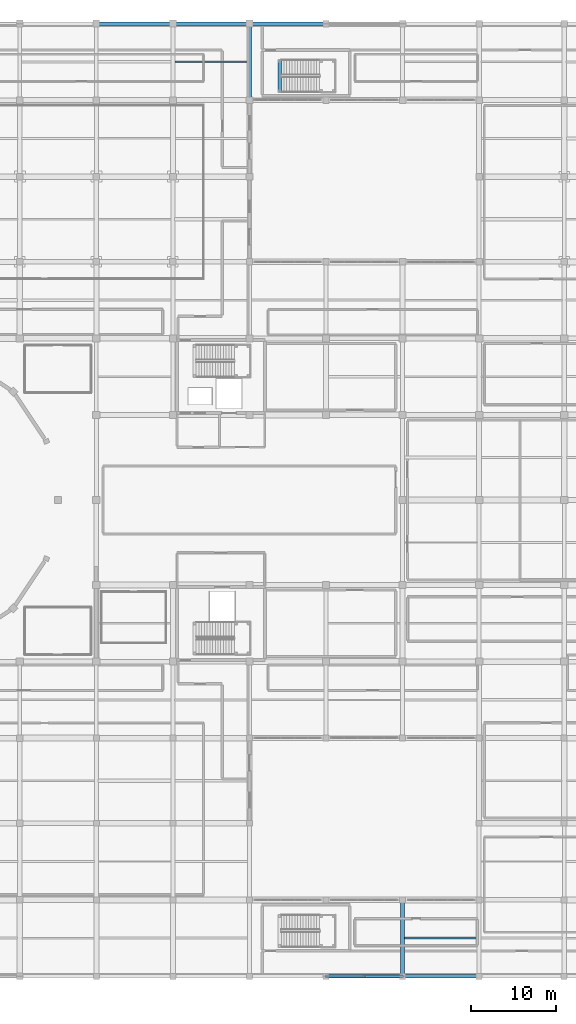
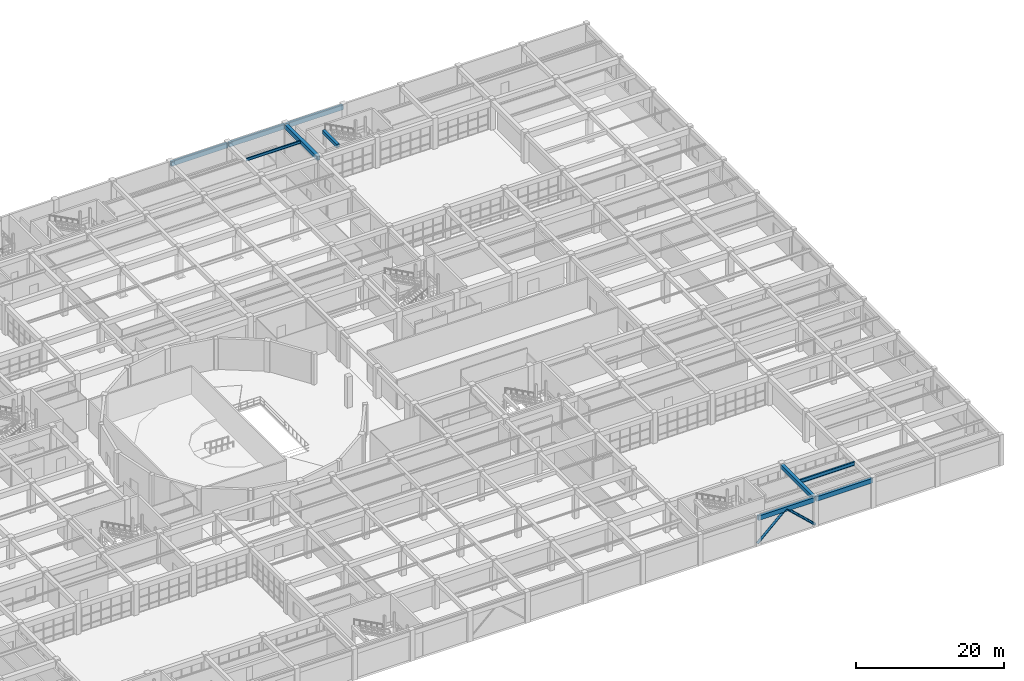
# One storey, part 71 of 128: 10 beams, 2 members.
"""IFC4 building model written with IfcOpenShell, lengths in metres."""

from ifc_helpers import new_model, si_unit, direction, frame, origin, origin_2d, place, context, subcontext, project, spatial, rectangle, hollow_circle, i_section, extrude, material, material_profile, profile_set, type_object, element, save


model = new_model("IFC4")

# Units and contexts
model_context = context("Model", 3, precision=1e-05, world=origin(), true_north=direction((0.0, 1.0)))
body_context = subcontext(model_context, "Body", "Model", "MODEL_VIEW")
ifc_project = project(units=[si_unit("LENGTHUNIT", "METRE"), si_unit("AREAUNIT", "SQUARE_METRE"), si_unit("VOLUMEUNIT", "CUBIC_METRE"), si_unit("PLANEANGLEUNIT", "RADIAN"), si_unit("MASSUNIT", "GRAM", prefix="KILO")], contexts=[model_context])

# Site, building, storey
site_placement = place(None, origin())
site = spatial("IfcSite", under=ifc_project, at=site_placement, CompositionType="ELEMENT")
building_placement = place(site_placement, origin())
building = spatial("IfcBuilding", under=site, at=building_placement, Name="Miravela Opera House", CompositionType="ELEMENT")
storey_placement = place(building_placement, origin())
storey = spatial("IfcBuildingStorey", under=building, at=storey_placement, Name="L00", CompositionType="ELEMENT", Elevation=0.0)

# Beams
ifc_material_1 = material(Name="Concrete C35/45", Category="concrete")
ifc_material_profile_1 = material_profile(ifc_material_1, rectangle(XDim=0.39990234375, YDim=0.60009765625, at=origin_2d()), Name="RC-BM-400X600")
ifc_profile_set_1 = profile_set([ifc_material_profile_1])
beam_type_1 = type_object("IfcBeamType", Name="STR-BM-RC400X600", PredefinedType="JOIST", material=ifc_profile_set_1)
beam_1_placement = place(storey_placement, frame((120.5400390625, 103.89990234375, 4.800048828125), z_axis=(0.0, 1.0, 0.0), x_axis=(-1.0, 0.0, 0.0)))
element("IfcBeam", 1, at=beam_1_placement, inside=storey, type_object=beam_type_1, Name="Stair ST-09 Opening Header Trimmer Beam 01", PredefinedType="JOIST", context=body_context, shape_type="SweptSolid", body=[
    extrude(rectangle(XDim=0.39990234375, YDim=0.60009765625, at=origin_2d()), origin(), (0.0, 0.0, 1.0), 3.880126953125),
])
ifc_material_profile_2 = material_profile(ifc_material_1, rectangle(XDim=0.47998046875, YDim=0.679931640625, at=origin_2d()), Name="RC-BM-480X680")
ifc_profile_set_2 = profile_set([ifc_material_profile_2])
beam_type_2 = type_object("IfcBeamType", Name="STR-BM-RC480X680", PredefinedType="BEAM", material=ifc_profile_set_2)
beam_2_placement = place(storey_placement, frame((135.0, 0.080078125, 4.510009765625), z_axis=(0.0, 1.0, 0.0), x_axis=(-1.0, 0.0, 0.0)))
element("IfcBeam", 2, at=beam_2_placement, inside=storey, type_object=beam_type_2, Name="Floor Girder L00 16/A-B", PredefinedType="BEAM", context=body_context, shape_type="SweptSolid", body=[
    extrude(rectangle(XDim=0.47998046875, YDim=0.679931640625, at=origin_2d()), origin(), (0.0, 0.0, 1.0), 8.83984375),
])
ifc_material_profile_3 = material_profile(ifc_material_1, rectangle(XDim=0.5, YDim=0.699951171875, at=origin_2d()), Name="RC-BM-500X700")
ifc_profile_set_3 = profile_set([ifc_material_profile_3])
beam_type_3 = type_object("IfcBeamType", Name="STR-BM-RC500X700", PredefinedType="BEAM", material=ifc_profile_set_3)
beam_3_placement = place(storey_placement, frame((117.0, 103.080078125, 4.5), z_axis=(0.0, 1.0, 0.0), x_axis=(-1.0, 0.0, 0.0)))
element("IfcBeam", 3, at=beam_3_placement, inside=storey, type_object=beam_type_3, Name="Floor Girder L00 14/L-M", PredefinedType="BEAM", context=body_context, shape_type="SweptSolid", body=[
    extrude(rectangle(XDim=0.5, YDim=0.699951171875, at=origin_2d()), origin(), (0.0, 0.0, 1.0), 8.83984375),
])
ifc_material_2 = material(Name="Structural steel ASTM A992 Gr. 50", Category="steel")
ifc_material_profile_4 = material_profile(ifc_material_2, i_section(OverallWidth=0.19091796875, OverallDepth=0.4599609375, WebThickness=0.010009765625, FlangeThickness=0.01611328125, FilletRadius=0.014892578125, at=origin_2d()), Name="W460X82")
ifc_profile_set_4 = profile_set([ifc_material_profile_4])
beam_type_4 = type_object("IfcBeamType", Name="STR-BM-W460X82", PredefinedType="JOIST", material=ifc_profile_set_4)
beam_4_placement = place(storey_placement, frame((108.235107421875, 107.5, 4.6201171875), z_axis=(1.0, 0.0, 0.0), x_axis=(0.0, 1.0, 0.0)))
element("IfcBeam", 4, at=beam_4_placement, inside=storey, type_object=beam_type_4, Name="Secondary Floor Joist L00 13-14/L-M", PredefinedType="JOIST", context=body_context, shape_type="SweptSolid", body=[
    extrude(i_section(OverallWidth=0.19091796875, OverallDepth=0.4599609375, WebThickness=0.010009765625, FlangeThickness=0.01611328125, FilletRadius=0.014892578125, at=origin_2d()), origin(), (0.0, 0.0, 1.0), 8.52978515625),
])
ifc_material_profile_5 = material_profile(ifc_material_2, i_section(OverallWidth=0.22802734375, OverallDepth=0.60791015625, WebThickness=0.01123046875, FlangeThickness=0.017333984375, FilletRadius=0.01611328125, at=origin_2d()), Name="W610X113")
ifc_profile_set_5 = profile_set([ifc_material_profile_5])
beam_type_5 = type_object("IfcBeamType", Name="STR-BM-W610X113", PredefinedType="BEAM", material=ifc_profile_set_5)
beam_5_placement = place(storey_placement, frame((135.22509765625, 4.5, 4.5458984375), z_axis=(1.0, 0.0, 0.0), x_axis=(0.0, 1.0, 0.0)))
element("IfcBeam", 5, at=beam_5_placement, inside=storey, type_object=beam_type_5, Name="Secondary Floor Joist L00 16-17/A-B", PredefinedType="BEAM", context=body_context, shape_type="SweptSolid", body=[
    extrude(i_section(OverallWidth=0.22802734375, OverallDepth=0.60791015625, WebThickness=0.01123046875, FlangeThickness=0.017333984375, FilletRadius=0.01611328125, at=origin_2d()), origin(), (0.0, 0.0, 1.0), 8.5498046875),
])

# Members
ifc_material_3 = material(Name="Hollow structural steel ASTM A500 Gr. C", Category="steel")
ifc_material_profile_6 = material_profile(ifc_material_3, hollow_circle(Radius=0.203125, WallThickness=0.011962890625, at=origin_2d()), Name="CHS406X12")
ifc_profile_set_6 = profile_set([ifc_material_profile_6])
member_type = type_object("IfcMemberType", Name="STR-MEM-BRACE-CHS406", PredefinedType="BRACE", material=ifc_profile_set_6)
for number, where, z_axis, x_axis, name in (
    (6, (126.0, 0.0, 0.300048828125), (0.73105922506, 0.0, 0.682314010889), (0.0, 1.0, 0.0), "Concentric Braced Frame BF-S3 L00 Left Brace"),
    (7, (135.0, 0.0, 0.300048828125), (-0.73105922506, 0.0, 0.682314010889), (0.0, -1.0, 0.0), "Concentric Braced Frame BF-S3 L00 Right Brace"),
):
    element("IfcMember", number, at=place(storey_placement, frame(where, z_axis=z_axis, x_axis=x_axis)), inside=storey, type_object=member_type, Name=name, PredefinedType="BRACE", context=body_context, shape_type="SweptSolid", body=[
        extrude(hollow_circle(Radius=0.203125, WallThickness=0.011962890625, at=origin_2d()), origin(), (0.0, 0.0, 1.0), 6.155517578125),
    ])

# Beams
ifc_material_profile_7 = material_profile(ifc_material_1, rectangle(XDim=0.39990234375, YDim=0.75, at=origin_2d()), Name="RC-SPN-400X750")
ifc_profile_set_7 = profile_set([ifc_material_profile_7])
beam_type_6 = type_object("IfcBeamType", Name="STR-SPN-RC400X750", PredefinedType="SPANDREL", material=ifc_profile_set_7)
for number, where, z_axis, x_axis, name in (
    (8, (99.080078125, 112.0, 4.47509765625), (1.0, 0.0, 0.0), (0.0, 1.0, 0.0), "Floor Girder L00 12-13/M"),
    (9, (108.080078125, 112.0, 4.47509765625), (1.0, 0.0, 0.0), (0.0, 1.0, 0.0), "Floor Girder L00 13-14/M"),
    (10, (117.080078125, 112.0, 4.47509765625), (1.0, 0.0, 0.0), (0.0, 1.0, 0.0), "Floor Girder L00 14-15/M"),
    (11, (126.080078125, 0.0, 4.47509765625), (1.0, 0.0, 0.0), (0.0, 1.0, 0.0), "Floor Girder L00 15-16/A"),
    (12, (135.080078125, 0.0, 4.47509765625), (1.0, 0.0, 0.0), (0.0, 1.0, 0.0), "Floor Girder L00 16-17/A"),
):
    element("IfcBeam", number, at=place(storey_placement, frame(where, z_axis=z_axis, x_axis=x_axis)), inside=storey, type_object=beam_type_6, Name=name, PredefinedType="SPANDREL", context=body_context, shape_type="SweptSolid", body=[
        extrude(rectangle(XDim=0.39990234375, YDim=0.75, at=origin_2d()), origin(), (0.0, 0.0, 1.0), 8.83984375),
    ])

save(model, "model.ifc")
